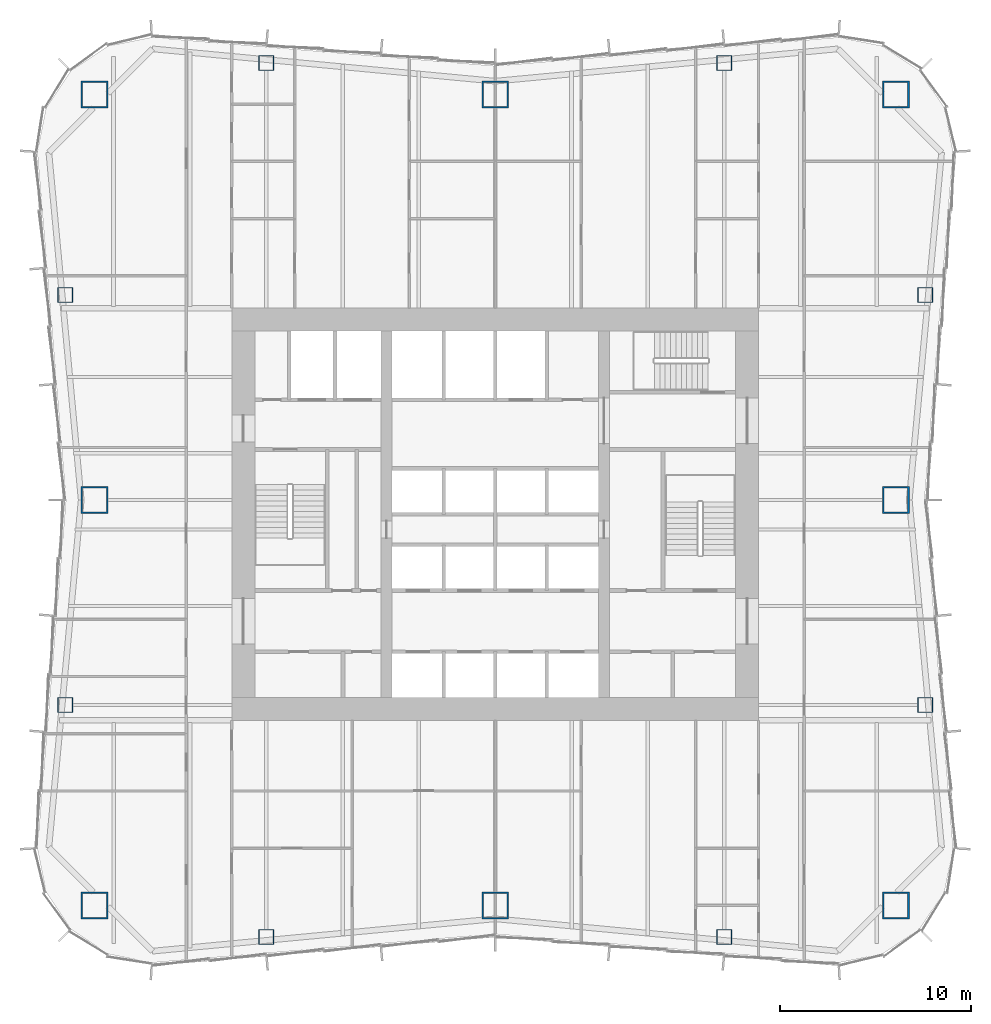
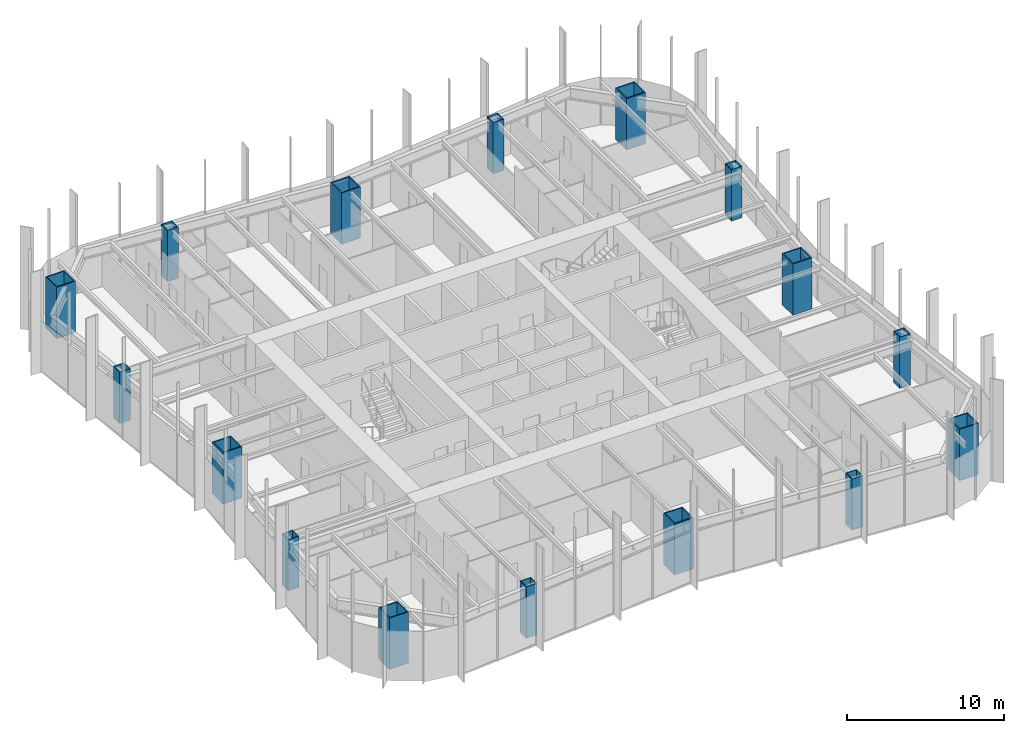
# One storey, part 1 of 13: 16 columns.
"""IFC4 building model written with IfcOpenShell, lengths in metres."""

from ifc_helpers import new_model, si_unit, direction, frame, origin, origin_2d, place, context, subcontext, project, spatial, hollow_rectangle, extrude, material, material_profile, profile_set, type_object, element, save


model = new_model("IFC4")

# Units and contexts
model_context = context("Model", 3, precision=1e-05, world=origin(), true_north=direction((0.0, 1.0)))
body_context = subcontext(model_context, "Body", "Model", "MODEL_VIEW")
ifc_project = project(units=[si_unit("LENGTHUNIT", "METRE"), si_unit("AREAUNIT", "SQUARE_METRE"), si_unit("VOLUMEUNIT", "CUBIC_METRE"), si_unit("PLANEANGLEUNIT", "RADIAN"), si_unit("MASSUNIT", "GRAM", prefix="KILO")], contexts=[model_context])

# Site, building, storey
site_placement = place(None, origin())
site = spatial("IfcSite", under=ifc_project, at=site_placement, CompositionType="ELEMENT")
building_placement = place(site_placement, origin())
building = spatial("IfcBuilding", under=site, at=building_placement, Name="Verdant Reach Tower", CompositionType="ELEMENT")
storey_placement = place(building_placement, frame((0.0, 0.0, 106.0)))
storey = spatial("IfcBuildingStorey", under=building, at=storey_placement, Name="L24", CompositionType="ELEMENT", Elevation=106.0)

# Columns
ifc_material = material(Name="Steel S460", Category="steel")
ifc_material_profile_1 = material_profile(ifc_material, hollow_rectangle(XDim=1.39990234375, YDim=1.39990234375, WallThickness=0.080078125, at=origin_2d()), Name="WB 1400x1400x80")
ifc_profile_set_1 = profile_set([ifc_material_profile_1], Name="Steel S460")
column_type_1 = type_object("IfcColumnType", Name="ST-COL-WB1400x1400x80", PredefinedType="COLUMN", material=ifc_profile_set_1)
for number, where, z_axis, x_axis, name in (
    (1, (-21.0, 50.0, 0.0), (0.0, 0.0, 1.0), (1.0, 0.0, 0.0), "Mega column north-west, L24"),
    (2, (0.0, 50.0, 0.0), (0.0, 0.0, 1.0), (1.0, 0.0, 0.0), "Mega column north, L24"),
    (3, (21.0, 50.0, 0.0), (0.0, 0.0, 1.0), (1.0, 0.0, 0.0), "Mega column north-east, L24"),
    (4, (21.0, 28.75, 0.0), (0.0, 0.0, 1.0), (1.0, 0.0, 0.0), "Mega column east, L24"),
    (5, (21.0, 7.5, 0.0), (0.0, 0.0, 1.0), (1.0, 0.0, 0.0), "Mega column south-east, L24"),
    (6, (0.0, 7.5, 0.0), (0.0, 0.0, 1.0), (1.0, 0.0, 0.0), "Mega column south, L24"),
    (7, (-21.0, 7.5, 0.0), (0.0, 0.0, 1.0), (1.0, 0.0, 0.0), "Mega column south-west, L24"),
    (8, (-21.0, 28.75, 0.0), (0.0, 0.0, 1.0), (1.0, 0.0, 0.0), "Mega column west, L24"),
):
    element("IfcColumn", number, at=place(storey_placement, frame(where, z_axis=z_axis, x_axis=x_axis)), inside=storey, type_object=column_type_1, Name=name, PredefinedType="COLUMN", context=body_context, shape_type="SweptSolid", body=[
        extrude(hollow_rectangle(XDim=1.39990234375, YDim=1.39990234375, WallThickness=0.080078125, at=origin_2d()), origin(), (0.0, 0.0, 1.0), 4.0),
    ])
ifc_material_profile_2 = material_profile(ifc_material, hollow_rectangle(XDim=0.800048828125, YDim=0.800048828125, WallThickness=0.0400390625, at=origin_2d()), Name="WB 800x800x40")
ifc_profile_set_2 = profile_set([ifc_material_profile_2], Name="Steel S460")
column_type_2 = type_object("IfcColumnType", Name="ST-COL-WB800x800x40", PredefinedType="COLUMN", material=ifc_profile_set_2)
for number, where, z_axis, x_axis, name in (
    (9, (-12.0, 51.64990234375, 0.0), (0.0, 0.0, 1.0), (1.0, 0.0, 0.0), "Perimeter column north 1, L24"),
    (10, (12.0, 51.64990234375, 0.0), (0.0, 0.0, 1.0), (1.0, 0.0, 0.0), "Perimeter column north 2, L24"),
    (11, (-12.0, 5.85009765625, 0.0), (0.0, 0.0, 1.0), (1.0, 0.0, 0.0), "Perimeter column south 1, L24"),
    (12, (12.0, 5.85009765625, 0.0), (0.0, 0.0, 1.0), (1.0, 0.0, 0.0), "Perimeter column south 2, L24"),
    (13, (22.53369140625, 18.0, 0.0), (0.0, 0.0, 1.0), (1.0, 0.0, 0.0), "Perimeter column east 1, L24"),
    (14, (22.53369140625, 39.5, 0.0), (0.0, 0.0, 1.0), (1.0, 0.0, 0.0), "Perimeter column east 2, L24"),
    (15, (-22.53369140625, 18.0, 0.0), (0.0, 0.0, 1.0), (1.0, 0.0, 0.0), "Perimeter column west 1, L24"),
    (16, (-22.53369140625, 39.5, 0.0), (0.0, 0.0, 1.0), (1.0, 0.0, 0.0), "Perimeter column west 2, L24"),
):
    element("IfcColumn", number, at=place(storey_placement, frame(where, z_axis=z_axis, x_axis=x_axis)), inside=storey, type_object=column_type_2, Name=name, PredefinedType="COLUMN", context=body_context, shape_type="SweptSolid", body=[
        extrude(hollow_rectangle(XDim=0.800048828125, YDim=0.800048828125, WallThickness=0.0400390625, at=origin_2d()), origin(), (0.0, 0.0, 1.0), 4.0),
    ])

save(model, "model.ifc")
